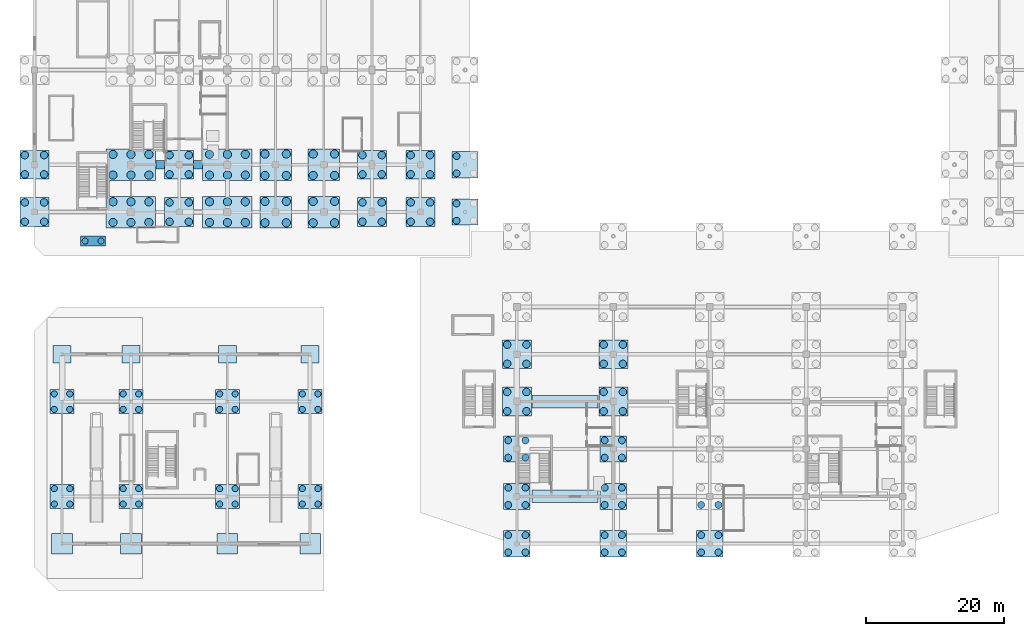
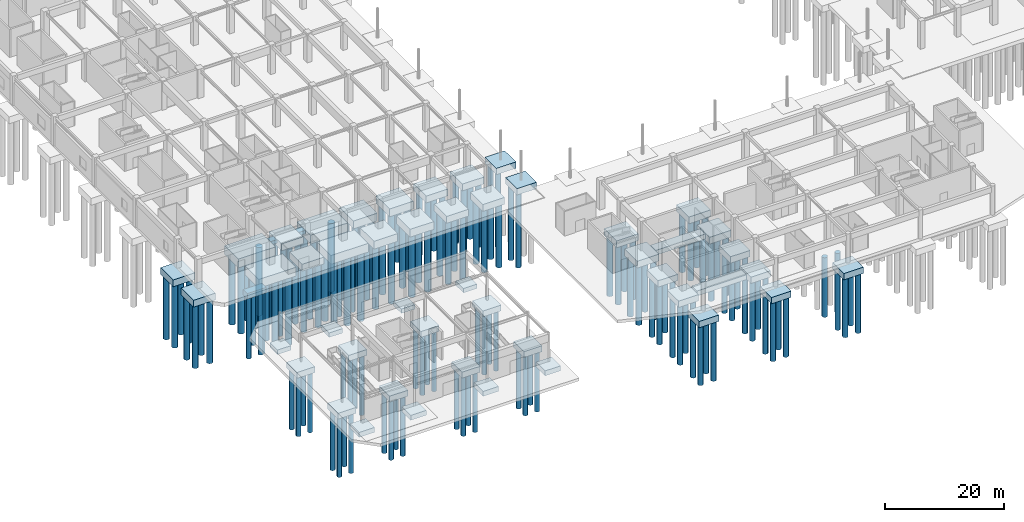
# One storey, part 1 of 62: 156 piles, 50 footings.
"""IFC4 building model written with IfcOpenShell, lengths in metres."""

from ifc_helpers import new_model, si_unit, direction, frame, origin, origin_2d, place, context, subcontext, project, spatial, rectangle, circle, extrude, material, material_profile, profile_set, type_object, element, save


model = new_model("IFC4")

# Units and contexts
model_context = context("Model", 3, precision=1e-05, world=origin(), true_north=direction((0.0, 1.0)))
body_context = subcontext(model_context, "Body", "Model", "MODEL_VIEW")
ifc_project = project(units=[si_unit("LENGTHUNIT", "METRE"), si_unit("AREAUNIT", "SQUARE_METRE"), si_unit("VOLUMEUNIT", "CUBIC_METRE"), si_unit("PLANEANGLEUNIT", "RADIAN"), si_unit("MASSUNIT", "GRAM", prefix="KILO")], contexts=[model_context])

# Site, building, storey
site_placement = place(None, origin())
site = spatial("IfcSite", under=ifc_project, at=site_placement, CompositionType="ELEMENT")
building_placement = place(site_placement, origin())
building = spatial("IfcBuilding", under=site, at=building_placement, Name="Linyun Crest Stadium", CompositionType="ELEMENT")
storey_placement = place(building_placement, frame((0.0, 0.0, -6.0)))
storey = spatial("IfcBuildingStorey", under=building, at=storey_placement, Name="B1", CompositionType="ELEMENT", Elevation=-6.0)

# Piles
ifc_material_1 = material(Name="Concrete C40", Category="concrete")
ifc_material_profile_1 = material_profile(ifc_material_1, circle(Radius=0.449951171875, at=origin_2d()), Name="BORED PILE 900")
ifc_profile_set_1 = profile_set([ifc_material_profile_1], Name="Concrete C40")
pile_type_1 = type_object("IfcPileType", Name="P01", PredefinedType="BORED", material=ifc_profile_set_1)
for number, where, z_axis, x_axis, name in (
    (1, (-95.125, -88.375, -1.699951171875), (0.0, 0.0, -1.0), (1.0, 0.0, 0.0), "Bored pile P01 857"),
    (2, (-95.125, -86.125, -1.699951171875), (0.0, 0.0, -1.0), (1.0, 0.0, 0.0), "Bored pile P01 858"),
    (3, (-92.875, -88.375, -1.699951171875), (0.0, 0.0, -1.0), (1.0, 0.0, 0.0), "Bored pile P01 859"),
    (4, (-92.875, -86.125, -1.699951171875), (0.0, 0.0, -1.0), (1.0, 0.0, 0.0), "Bored pile P01 860"),
    (5, (-95.125, -74.625, -1.699951171875), (0.0, 0.0, -1.0), (1.0, 0.0, 0.0), "Bored pile P01 861"),
    (6, (-95.125, -72.375, -1.699951171875), (0.0, 0.0, -1.0), (1.0, 0.0, 0.0), "Bored pile P01 862"),
    (7, (-92.875, -74.625, -1.699951171875), (0.0, 0.0, -1.0), (1.0, 0.0, 0.0), "Bored pile P01 863"),
    (8, (-92.875, -72.375, -1.699951171875), (0.0, 0.0, -1.0), (1.0, 0.0, 0.0), "Bored pile P01 864"),
    (9, (-85.125, -88.375, -1.699951171875), (0.0, 0.0, -1.0), (1.0, 0.0, 0.0), "Bored pile P01 865"),
    (10, (-85.125, -86.125, -1.699951171875), (0.0, 0.0, -1.0), (1.0, 0.0, 0.0), "Bored pile P01 866"),
    (11, (-82.875, -88.375, -1.699951171875), (0.0, 0.0, -1.0), (1.0, 0.0, 0.0), "Bored pile P01 867"),
    (12, (-82.875, -86.125, -1.699951171875), (0.0, 0.0, -1.0), (1.0, 0.0, 0.0), "Bored pile P01 868"),
    (13, (-85.125, -74.625, -1.699951171875), (0.0, 0.0, -1.0), (1.0, 0.0, 0.0), "Bored pile P01 869"),
    (14, (-85.125, -72.375, -1.699951171875), (0.0, 0.0, -1.0), (1.0, 0.0, 0.0), "Bored pile P01 870"),
    (15, (-82.875, -74.625, -1.699951171875), (0.0, 0.0, -1.0), (1.0, 0.0, 0.0), "Bored pile P01 871"),
    (16, (-82.875, -72.375, -1.699951171875), (0.0, 0.0, -1.0), (1.0, 0.0, 0.0), "Bored pile P01 872"),
    (17, (-71.125, -88.375, -1.699951171875), (0.0, 0.0, -1.0), (1.0, 0.0, 0.0), "Bored pile P01 873"),
    (18, (-71.125, -86.125, -1.699951171875), (0.0, 0.0, -1.0), (1.0, 0.0, 0.0), "Bored pile P01 874"),
    (19, (-68.875, -88.375, -1.699951171875), (0.0, 0.0, -1.0), (1.0, 0.0, 0.0), "Bored pile P01 875"),
    (20, (-68.875, -86.125, -1.699951171875), (0.0, 0.0, -1.0), (1.0, 0.0, 0.0), "Bored pile P01 876"),
    (21, (-71.125, -74.625, -1.699951171875), (0.0, 0.0, -1.0), (1.0, 0.0, 0.0), "Bored pile P01 877"),
    (22, (-71.125, -72.375, -1.699951171875), (0.0, 0.0, -1.0), (1.0, 0.0, 0.0), "Bored pile P01 878"),
    (23, (-68.875, -74.625, -1.699951171875), (0.0, 0.0, -1.0), (1.0, 0.0, 0.0), "Bored pile P01 879"),
    (24, (-68.875, -72.375, -1.699951171875), (0.0, 0.0, -1.0), (1.0, 0.0, 0.0), "Bored pile P01 880"),
    (25, (-59.125, -88.375, -1.699951171875), (0.0, 0.0, -1.0), (1.0, 0.0, 0.0), "Bored pile P01 881"),
    (26, (-59.125, -86.125, -1.699951171875), (0.0, 0.0, -1.0), (1.0, 0.0, 0.0), "Bored pile P01 882"),
    (27, (-56.875, -88.375, -1.699951171875), (0.0, 0.0, -1.0), (1.0, 0.0, 0.0), "Bored pile P01 883"),
    (28, (-56.875, -86.125, -1.699951171875), (0.0, 0.0, -1.0), (1.0, 0.0, 0.0), "Bored pile P01 884"),
    (29, (-59.125, -74.625, -1.699951171875), (0.0, 0.0, -1.0), (1.0, 0.0, 0.0), "Bored pile P01 885"),
    (30, (-59.125, -72.375, -1.699951171875), (0.0, 0.0, -1.0), (1.0, 0.0, 0.0), "Bored pile P01 886"),
    (31, (-56.875, -74.625, -1.699951171875), (0.0, 0.0, -1.0), (1.0, 0.0, 0.0), "Bored pile P01 887"),
    (32, (-56.875, -72.375, -1.699951171875), (0.0, 0.0, -1.0), (1.0, 0.0, 0.0), "Bored pile P01 888"),
):
    element("IfcPile", number, at=place(storey_placement, frame(where, z_axis=z_axis, x_axis=x_axis)), inside=storey, type_object=pile_type_1, Name=name, PredefinedType="BORED", context=body_context, shape_type="SweptSolid", body=[
        extrude(circle(Radius=0.449951171875, at=origin_2d()), origin(), (0.0, 0.0, 1.0), 12.300048828125),
    ])
for number, where, z_axis, x_axis, name in (
    (33, (-90.64990234375, -50.199951171875, -1.75), (0.0, 0.0, -1.0), (1.0, 0.0, 0.0), "Bored pile P01 921"),
    (34, (-88.35009765625, -50.199951171875, -1.75), (0.0, 0.0, -1.0), (1.0, 0.0, 0.0), "Bored pile P01 922"),
):
    element("IfcPile", number, at=place(storey_placement, frame(where, z_axis=z_axis, x_axis=x_axis)), inside=storey, type_object=pile_type_1, Name=name, PredefinedType="BORED", context=body_context, shape_type="SweptSolid", body=[
        extrude(circle(Radius=0.449951171875, at=origin_2d()), origin(), (0.0, 0.0, 1.0), 12.75),
    ])
ifc_material_2 = material(Name="Concrete C40", Category="concrete")
ifc_material_profile_2 = material_profile(ifc_material_2, circle(Radius=0.5, at=origin_2d()), Name="BORED PILE 1000")
ifc_profile_set_2 = profile_set([ifc_material_profile_2], Name="Concrete C40")
pile_type_2 = type_object("IfcPileType", Name="P02", PredefinedType="BORED", material=ifc_profile_set_2)
for number, where, z_axis, x_axis, name in (
    (35, (-29.25, -95.375, -1.800048828125), (0.0, 0.0, -1.0), (1.0, 0.0, 0.0), "Bored pile P02 677"),
    (36, (-29.25, -92.875, -1.800048828125), (0.0, 0.0, -1.0), (1.0, 0.0, 0.0), "Bored pile P02 678"),
    (37, (-26.75, -95.375, -1.800048828125), (0.0, 0.0, -1.0), (1.0, 0.0, 0.0), "Bored pile P02 679"),
    (38, (-26.75, -92.875, -1.800048828125), (0.0, 0.0, -1.0), (1.0, 0.0, 0.0), "Bored pile P02 680"),
    (39, (-29.25, -88.5, -1.800048828125), (0.0, 0.0, -1.0), (1.0, 0.0, 0.0), "Bored pile P02 681"),
    (40, (-29.25, -86.0, -1.800048828125), (0.0, 0.0, -1.0), (1.0, 0.0, 0.0), "Bored pile P02 682"),
    (41, (-26.75, -88.5, -1.800048828125), (0.0, 0.0, -1.0), (1.0, 0.0, 0.0), "Bored pile P02 683"),
    (42, (-26.75, -86.0, -1.800048828125), (0.0, 0.0, -1.0), (1.0, 0.0, 0.0), "Bored pile P02 684"),
    (43, (-29.25, -81.625, -1.800048828125), (0.0, 0.0, -1.0), (1.0, 0.0, 0.0), "Bored pile P02 685"),
    (44, (-29.25, -79.125, -1.800048828125), (0.0, 0.0, -1.0), (1.0, 0.0, 0.0), "Bored pile P02 686"),
    (45, (-26.75, -81.625, -1.800048828125), (0.0, 0.0, -1.0), (1.0, 0.0, 0.0), "Bored pile P02 687"),
    (46, (-26.75, -79.125, -1.800048828125), (0.0, 0.0, -1.0), (1.0, 0.0, 0.0), "Bored pile P02 688"),
    (47, (-15.25, -95.375, -1.800048828125), (0.0, 0.0, -1.0), (1.0, 0.0, 0.0), "Bored pile P02 701"),
    (48, (-15.25, -92.875, -1.800048828125), (0.0, 0.0, -1.0), (1.0, 0.0, 0.0), "Bored pile P02 702"),
    (49, (-12.75, -95.375, -1.800048828125), (0.0, 0.0, -1.0), (1.0, 0.0, 0.0), "Bored pile P02 703"),
    (50, (-12.75, -92.875, -1.800048828125), (0.0, 0.0, -1.0), (1.0, 0.0, 0.0), "Bored pile P02 704"),
    (51, (-15.25, -88.5, -1.800048828125), (0.0, 0.0, -1.0), (1.0, 0.0, 0.0), "Bored pile P02 705"),
    (52, (-15.25, -86.0, -1.800048828125), (0.0, 0.0, -1.0), (1.0, 0.0, 0.0), "Bored pile P02 706"),
    (53, (-12.75, -88.5, -1.800048828125), (0.0, 0.0, -1.0), (1.0, 0.0, 0.0), "Bored pile P02 707"),
    (54, (-12.75, -86.0, -1.800048828125), (0.0, 0.0, -1.0), (1.0, 0.0, 0.0), "Bored pile P02 708"),
    (55, (-15.25, -81.625, -1.800048828125), (0.0, 0.0, -1.0), (1.0, 0.0, 0.0), "Bored pile P02 709"),
    (56, (-15.25, -79.125, -1.800048828125), (0.0, 0.0, -1.0), (1.0, 0.0, 0.0), "Bored pile P02 710"),
    (57, (-12.75, -81.625, -1.800048828125), (0.0, 0.0, -1.0), (1.0, 0.0, 0.0), "Bored pile P02 711"),
    (58, (-12.75, -79.125, -1.800048828125), (0.0, 0.0, -1.0), (1.0, 0.0, 0.0), "Bored pile P02 712"),
    (59, (-1.25, -95.375, -1.800048828125), (0.0, 0.0, -1.0), (1.0, 0.0, 0.0), "Bored pile P02 725"),
    (60, (-1.25, -92.875, -1.800048828125), (0.0, 0.0, -1.0), (1.0, 0.0, 0.0), "Bored pile P02 726"),
    (61, (1.25, -95.375, -1.800048828125), (0.0, 0.0, -1.0), (1.0, 0.0, 0.0), "Bored pile P02 727"),
    (62, (1.25, -92.875, -1.800048828125), (0.0, 0.0, -1.0), (1.0, 0.0, 0.0), "Bored pile P02 728"),
    (63, (-1.25, -88.5, -1.800048828125), (0.0, 0.0, -1.0), (1.0, 0.0, 0.0), "Bored pile P02 729"),
    (64, (1.25, -88.5, -1.800048828125), (0.0, 0.0, -1.0), (1.0, 0.0, 0.0), "Bored pile P02 731"),
):
    element("IfcPile", number, at=place(storey_placement, frame(where, z_axis=z_axis, x_axis=x_axis)), inside=storey, type_object=pile_type_2, Name=name, PredefinedType="BORED", context=body_context, shape_type="SweptSolid", body=[
        extrude(circle(Radius=0.5, at=origin_2d()), origin(), (0.0, 0.0, 1.0), 12.199951171875),
    ])
for number, where, z_axis, x_axis, name in (
    (65, (-36.75, -47.25, -1.199951171875), (0.0, 0.0, -1.0), (1.0, 0.0, 0.0), "Bored pile P02 arch 2.1"),
    (66, (-36.75, -44.75, -1.199951171875), (0.0, 0.0, -1.0), (1.0, 0.0, 0.0), "Bored pile P02 arch 2.2"),
    (67, (-36.75, -40.375, -1.199951171875), (0.0, 0.0, -1.0), (1.0, 0.0, 0.0), "Bored pile P02 arch 4.1"),
    (68, (-36.75, -37.875, -1.199951171875), (0.0, 0.0, -1.0), (1.0, 0.0, 0.0), "Bored pile P02 arch 4.2"),
):
    element("IfcPile", number, at=place(storey_placement, frame(where, z_axis=z_axis, x_axis=x_axis)), inside=storey, type_object=pile_type_2, Name=name, PredefinedType="BORED", context=body_context, shape_type="SweptSolid", body=[
        extrude(circle(Radius=0.5, at=origin_2d()), origin(), (0.0, 0.0, 1.0), 15.300048828125),
    ])
ifc_material_3 = material(Name="Concrete C40", Category="concrete")
ifc_material_profile_3 = material_profile(ifc_material_3, circle(Radius=0.550048828125, at=origin_2d()), Name="BORED PILE 1100")
ifc_profile_set_3 = profile_set([ifc_material_profile_3], Name="Concrete C40")
pile_type_3 = type_object("IfcPileType", Name="P03", PredefinedType="BORED", material=ifc_profile_set_3)
for number, where, z_axis, x_axis, name in (
    (69, (-99.39990234375, -47.39990234375, -2.050048828125), (0.0, 0.0, -1.0), (1.0, 0.0, 0.0), "Bored pile P03 1"),
    (70, (-99.39990234375, -44.60009765625, -2.050048828125), (0.0, 0.0, -1.0), (1.0, 0.0, 0.0), "Bored pile P03 2"),
    (71, (-96.60009765625, -47.39990234375, -2.050048828125), (0.0, 0.0, -1.0), (1.0, 0.0, 0.0), "Bored pile P03 3"),
    (72, (-96.60009765625, -44.60009765625, -2.050048828125), (0.0, 0.0, -1.0), (1.0, 0.0, 0.0), "Bored pile P03 4"),
    (73, (-99.39990234375, -40.52490234375, -2.050048828125), (0.0, 0.0, -1.0), (1.0, 0.0, 0.0), "Bored pile P03 5"),
    (74, (-99.39990234375, -37.72509765625, -2.050048828125), (0.0, 0.0, -1.0), (1.0, 0.0, 0.0), "Bored pile P03 6"),
    (75, (-96.60009765625, -40.52490234375, -2.050048828125), (0.0, 0.0, -1.0), (1.0, 0.0, 0.0), "Bored pile P03 7"),
    (76, (-96.60009765625, -37.72509765625, -2.050048828125), (0.0, 0.0, -1.0), (1.0, 0.0, 0.0), "Bored pile P03 8"),
    (77, (-78.39990234375, -47.39990234375, -2.050048828125), (0.0, 0.0, -1.0), (1.0, 0.0, 0.0), "Bored pile P03 81"),
    (78, (-78.39990234375, -44.60009765625, -2.050048828125), (0.0, 0.0, -1.0), (1.0, 0.0, 0.0), "Bored pile P03 82"),
    (79, (-75.60009765625, -47.39990234375, -2.050048828125), (0.0, 0.0, -1.0), (1.0, 0.0, 0.0), "Bored pile P03 83"),
    (80, (-75.60009765625, -44.60009765625, -2.050048828125), (0.0, 0.0, -1.0), (1.0, 0.0, 0.0), "Bored pile P03 84"),
    (81, (-78.39990234375, -40.52490234375, -2.050048828125), (0.0, 0.0, -1.0), (1.0, 0.0, 0.0), "Bored pile P03 85"),
    (82, (-78.39990234375, -37.72509765625, -2.050048828125), (0.0, 0.0, -1.0), (1.0, 0.0, 0.0), "Bored pile P03 86"),
    (83, (-75.60009765625, -40.52490234375, -2.050048828125), (0.0, 0.0, -1.0), (1.0, 0.0, 0.0), "Bored pile P03 87"),
    (84, (-75.60009765625, -37.72509765625, -2.050048828125), (0.0, 0.0, -1.0), (1.0, 0.0, 0.0), "Bored pile P03 88"),
    (85, (-50.39990234375, -47.39990234375, -2.050048828125), (0.0, 0.0, -1.0), (1.0, 0.0, 0.0), "Bored pile P03 225"),
    (86, (-50.39990234375, -44.60009765625, -2.050048828125), (0.0, 0.0, -1.0), (1.0, 0.0, 0.0), "Bored pile P03 226"),
    (87, (-47.60009765625, -47.39990234375, -2.050048828125), (0.0, 0.0, -1.0), (1.0, 0.0, 0.0), "Bored pile P03 227"),
    (88, (-47.60009765625, -44.60009765625, -2.050048828125), (0.0, 0.0, -1.0), (1.0, 0.0, 0.0), "Bored pile P03 228"),
    (89, (-50.39990234375, -40.52490234375, -2.050048828125), (0.0, 0.0, -1.0), (1.0, 0.0, 0.0), "Bored pile P03 229"),
    (90, (-50.39990234375, -37.72509765625, -2.050048828125), (0.0, 0.0, -1.0), (1.0, 0.0, 0.0), "Bored pile P03 230"),
    (91, (-47.60009765625, -40.52490234375, -2.050048828125), (0.0, 0.0, -1.0), (1.0, 0.0, 0.0), "Bored pile P03 231"),
    (92, (-47.60009765625, -37.72509765625, -2.050048828125), (0.0, 0.0, -1.0), (1.0, 0.0, 0.0), "Bored pile P03 232"),
    (93, (-43.39990234375, -47.39990234375, -2.050048828125), (0.0, 0.0, -1.0), (1.0, 0.0, 0.0), "Bored pile P03 257"),
    (94, (-43.39990234375, -44.60009765625, -2.050048828125), (0.0, 0.0, -1.0), (1.0, 0.0, 0.0), "Bored pile P03 258"),
    (95, (-40.60009765625, -47.39990234375, -2.050048828125), (0.0, 0.0, -1.0), (1.0, 0.0, 0.0), "Bored pile P03 259"),
    (96, (-40.60009765625, -44.60009765625, -2.050048828125), (0.0, 0.0, -1.0), (1.0, 0.0, 0.0), "Bored pile P03 260"),
    (97, (-43.39990234375, -40.52490234375, -2.050048828125), (0.0, 0.0, -1.0), (1.0, 0.0, 0.0), "Bored pile P03 261"),
    (98, (-43.39990234375, -37.72509765625, -2.050048828125), (0.0, 0.0, -1.0), (1.0, 0.0, 0.0), "Bored pile P03 262"),
    (99, (-40.60009765625, -40.52490234375, -2.050048828125), (0.0, 0.0, -1.0), (1.0, 0.0, 0.0), "Bored pile P03 263"),
    (100, (-40.60009765625, -37.72509765625, -2.050048828125), (0.0, 0.0, -1.0), (1.0, 0.0, 0.0), "Bored pile P03 264"),
):
    element("IfcPile", number, at=place(storey_placement, frame(where, z_axis=z_axis, x_axis=x_axis)), inside=storey, type_object=pile_type_3, Name=name, PredefinedType="BORED", context=body_context, shape_type="SweptSolid", body=[
        extrude(circle(Radius=0.550048828125, at=origin_2d()), origin(), (0.0, 0.0, 1.0), 12.949951171875),
    ])
for number, where, z_axis, x_axis, name in (
    (101, (-29.39990234375, -74.89990234375, -1.89990234375), (0.0, 0.0, -1.0), (1.0, 0.0, 0.0), "Bored pile P03 689"),
    (102, (-29.39990234375, -72.10009765625, -1.89990234375), (0.0, 0.0, -1.0), (1.0, 0.0, 0.0), "Bored pile P03 690"),
    (103, (-26.60009765625, -74.89990234375, -1.89990234375), (0.0, 0.0, -1.0), (1.0, 0.0, 0.0), "Bored pile P03 691"),
    (104, (-26.60009765625, -72.10009765625, -1.89990234375), (0.0, 0.0, -1.0), (1.0, 0.0, 0.0), "Bored pile P03 692"),
    (105, (-29.39990234375, -68.02490234375, -1.89990234375), (0.0, 0.0, -1.0), (1.0, 0.0, 0.0), "Bored pile P03 693"),
    (106, (-29.39990234375, -65.22509765625, -1.89990234375), (0.0, 0.0, -1.0), (1.0, 0.0, 0.0), "Bored pile P03 694"),
    (107, (-26.60009765625, -68.02490234375, -1.89990234375), (0.0, 0.0, -1.0), (1.0, 0.0, 0.0), "Bored pile P03 695"),
    (108, (-26.60009765625, -65.22509765625, -1.89990234375), (0.0, 0.0, -1.0), (1.0, 0.0, 0.0), "Bored pile P03 696"),
    (109, (-15.39990234375, -74.89990234375, -1.89990234375), (0.0, 0.0, -1.0), (1.0, 0.0, 0.0), "Bored pile P03 713"),
    (110, (-15.39990234375, -72.10009765625, -1.89990234375), (0.0, 0.0, -1.0), (1.0, 0.0, 0.0), "Bored pile P03 714"),
    (111, (-12.60009765625, -74.89990234375, -1.89990234375), (0.0, 0.0, -1.0), (1.0, 0.0, 0.0), "Bored pile P03 715"),
    (112, (-12.60009765625, -72.10009765625, -1.89990234375), (0.0, 0.0, -1.0), (1.0, 0.0, 0.0), "Bored pile P03 716"),
    (113, (-15.39990234375, -68.02490234375, -1.89990234375), (0.0, 0.0, -1.0), (1.0, 0.0, 0.0), "Bored pile P03 717"),
    (114, (-15.39990234375, -65.22509765625, -1.89990234375), (0.0, 0.0, -1.0), (1.0, 0.0, 0.0), "Bored pile P03 718"),
    (115, (-12.60009765625, -68.02490234375, -1.89990234375), (0.0, 0.0, -1.0), (1.0, 0.0, 0.0), "Bored pile P03 719"),
    (116, (-12.60009765625, -65.22509765625, -1.89990234375), (0.0, 0.0, -1.0), (1.0, 0.0, 0.0), "Bored pile P03 720"),
):
    element("IfcPile", number, at=place(storey_placement, frame(where, z_axis=z_axis, x_axis=x_axis)), inside=storey, type_object=pile_type_3, Name=name, PredefinedType="BORED", context=body_context, shape_type="SweptSolid", body=[
        extrude(circle(Radius=0.550048828125, at=origin_2d()), origin(), (0.0, 0.0, 1.0), 12.10009765625),
    ])
ifc_material_4 = material(Name="Concrete C40", Category="concrete")
ifc_material_profile_4 = material_profile(ifc_material_4, circle(Radius=0.60009765625, at=origin_2d()), Name="BORED PILE 1200")
ifc_profile_set_4 = profile_set([ifc_material_profile_4], Name="Concrete C40")
pile_type_4 = type_object("IfcPileType", Name="P04", PredefinedType="BORED", material=ifc_profile_set_4)
for number, where, z_axis, x_axis, name in (
    (117, (-86.60009765625, -47.5, -2.449951171875), (0.0, 0.0, -1.0), (1.0, 0.0, 0.0), "Bored pile P04 33"),
    (118, (-86.60009765625, -44.5, -2.449951171875), (0.0, 0.0, -1.0), (1.0, 0.0, 0.0), "Bored pile P04 34"),
    (119, (-84.0, -47.5, -2.449951171875), (0.0, 0.0, -1.0), (1.0, 0.0, 0.0), "Bored pile P04 35"),
    (120, (-84.0, -44.5, -2.449951171875), (0.0, 0.0, -1.0), (1.0, 0.0, 0.0), "Bored pile P04 36"),
    (121, (-81.39990234375, -47.5, -2.449951171875), (0.0, 0.0, -1.0), (1.0, 0.0, 0.0), "Bored pile P04 37"),
    (122, (-81.39990234375, -44.5, -2.449951171875), (0.0, 0.0, -1.0), (1.0, 0.0, 0.0), "Bored pile P04 38"),
    (123, (-86.60009765625, -40.625, -2.449951171875), (0.0, 0.0, -1.0), (1.0, 0.0, 0.0), "Bored pile P04 39"),
    (124, (-86.60009765625, -37.625, -2.449951171875), (0.0, 0.0, -1.0), (1.0, 0.0, 0.0), "Bored pile P04 40"),
    (125, (-84.0, -40.625, -2.449951171875), (0.0, 0.0, -1.0), (1.0, 0.0, 0.0), "Bored pile P04 41"),
    (126, (-84.0, -37.625, -2.449951171875), (0.0, 0.0, -1.0), (1.0, 0.0, 0.0), "Bored pile P04 42"),
    (127, (-81.39990234375, -40.625, -2.449951171875), (0.0, 0.0, -1.0), (1.0, 0.0, 0.0), "Bored pile P04 43"),
    (128, (-81.39990234375, -37.625, -2.449951171875), (0.0, 0.0, -1.0), (1.0, 0.0, 0.0), "Bored pile P04 44"),
    (129, (-72.60009765625, -47.5, -2.449951171875), (0.0, 0.0, -1.0), (1.0, 0.0, 0.0), "Bored pile P04 113"),
    (130, (-72.60009765625, -44.5, -2.449951171875), (0.0, 0.0, -1.0), (1.0, 0.0, 0.0), "Bored pile P04 114"),
    (131, (-70.0, -47.5, -2.449951171875), (0.0, 0.0, -1.0), (1.0, 0.0, 0.0), "Bored pile P04 115"),
    (132, (-70.0, -44.5, -2.449951171875), (0.0, 0.0, -1.0), (1.0, 0.0, 0.0), "Bored pile P04 116"),
    (133, (-67.39990234375, -47.5, -2.449951171875), (0.0, 0.0, -1.0), (1.0, 0.0, 0.0), "Bored pile P04 117"),
    (134, (-67.39990234375, -44.5, -2.449951171875), (0.0, 0.0, -1.0), (1.0, 0.0, 0.0), "Bored pile P04 118"),
    (135, (-72.60009765625, -40.625, -2.449951171875), (0.0, 0.0, -1.0), (1.0, 0.0, 0.0), "Bored pile P04 119"),
    (136, (-72.60009765625, -37.625, -2.449951171875), (0.0, 0.0, -1.0), (1.0, 0.0, 0.0), "Bored pile P04 120"),
    (137, (-70.0, -40.625, -2.449951171875), (0.0, 0.0, -1.0), (1.0, 0.0, 0.0), "Bored pile P04 121"),
    (138, (-70.0, -37.625, -2.449951171875), (0.0, 0.0, -1.0), (1.0, 0.0, 0.0), "Bored pile P04 122"),
    (139, (-67.39990234375, -40.625, -2.449951171875), (0.0, 0.0, -1.0), (1.0, 0.0, 0.0), "Bored pile P04 123"),
    (140, (-67.39990234375, -37.625, -2.449951171875), (0.0, 0.0, -1.0), (1.0, 0.0, 0.0), "Bored pile P04 124"),
):
    element("IfcPile", number, at=place(storey_placement, frame(where, z_axis=z_axis, x_axis=x_axis)), inside=storey, type_object=pile_type_4, Name=name, PredefinedType="BORED", context=body_context, shape_type="SweptSolid", body=[
        extrude(circle(Radius=0.60009765625, at=origin_2d()), origin(), (0.0, 0.0, 1.0), 14.050048828125),
    ])
for number, where, z_axis, x_axis, name in (
    (141, (-64.550048828125, -47.550048828125, -2.25), (0.0, 0.0, -1.0), (1.0, 0.0, 0.0), "Bored pile P04 161"),
    (142, (-64.550048828125, -44.449951171875, -2.25), (0.0, 0.0, -1.0), (1.0, 0.0, 0.0), "Bored pile P04 162"),
    (143, (-61.449951171875, -47.550048828125, -2.25), (0.0, 0.0, -1.0), (1.0, 0.0, 0.0), "Bored pile P04 163"),
    (144, (-61.449951171875, -44.449951171875, -2.25), (0.0, 0.0, -1.0), (1.0, 0.0, 0.0), "Bored pile P04 164"),
    (145, (-64.550048828125, -40.675048828125, -2.25), (0.0, 0.0, -1.0), (1.0, 0.0, 0.0), "Bored pile P04 165"),
    (146, (-64.550048828125, -37.574951171875, -2.25), (0.0, 0.0, -1.0), (1.0, 0.0, 0.0), "Bored pile P04 166"),
    (147, (-61.449951171875, -40.675048828125, -2.25), (0.0, 0.0, -1.0), (1.0, 0.0, 0.0), "Bored pile P04 167"),
    (148, (-61.449951171875, -37.574951171875, -2.25), (0.0, 0.0, -1.0), (1.0, 0.0, 0.0), "Bored pile P04 168"),
    (149, (-57.550048828125, -47.550048828125, -2.25), (0.0, 0.0, -1.0), (1.0, 0.0, 0.0), "Bored pile P04 193"),
    (150, (-57.550048828125, -44.449951171875, -2.25), (0.0, 0.0, -1.0), (1.0, 0.0, 0.0), "Bored pile P04 194"),
    (151, (-54.449951171875, -47.550048828125, -2.25), (0.0, 0.0, -1.0), (1.0, 0.0, 0.0), "Bored pile P04 195"),
    (152, (-54.449951171875, -44.449951171875, -2.25), (0.0, 0.0, -1.0), (1.0, 0.0, 0.0), "Bored pile P04 196"),
    (153, (-57.550048828125, -40.675048828125, -2.25), (0.0, 0.0, -1.0), (1.0, 0.0, 0.0), "Bored pile P04 197"),
    (154, (-57.550048828125, -37.574951171875, -2.25), (0.0, 0.0, -1.0), (1.0, 0.0, 0.0), "Bored pile P04 198"),
    (155, (-54.449951171875, -40.675048828125, -2.25), (0.0, 0.0, -1.0), (1.0, 0.0, 0.0), "Bored pile P04 199"),
    (156, (-54.449951171875, -37.574951171875, -2.25), (0.0, 0.0, -1.0), (1.0, 0.0, 0.0), "Bored pile P04 200"),
):
    element("IfcPile", number, at=place(storey_placement, frame(where, z_axis=z_axis, x_axis=x_axis)), inside=storey, type_object=pile_type_4, Name=name, PredefinedType="BORED", context=body_context, shape_type="SweptSolid", body=[
        extrude(circle(Radius=0.60009765625, at=origin_2d()), origin(), (0.0, 0.0, 1.0), 12.75),
    ])

# Footings
ifc_material_5 = material(Name="Concrete C40", Category="concrete")
footing_type_1 = type_object("IfcFootingType", Name="PC01", PredefinedType="PILE_CAP", material=ifc_material_5)
footing_placement = place(storey_placement, frame((-89.5, -50.199951171875, -1.85009765625), z_axis=(0.0, 0.0, 1.0), x_axis=(1.0, 0.0, 0.0)))
element("IfcFooting", 157, at=footing_placement, inside=storey, type_object=footing_type_1, Name="Foundation PC01 224", PredefinedType="PILE_CAP", context=body_context, shape_type="SweptSolid", body=[
    extrude(rectangle(XDim=3.60009765625, YDim=1.39990234375, at=origin_2d()), origin(), (0.0, 0.0, 1.0), 1.10009765625),
])
ifc_material_6 = material(Name="Concrete C40", Category="concrete")
footing_type_2 = type_object("IfcFootingType", Name="PC02", PredefinedType="PILE_CAP", material=ifc_material_6)
for number, where, z_axis, x_axis, name in (
    (158, (-28.0, -94.125, -1.89990234375), (0.0, 0.0, 1.0), (1.0, 0.0, 0.0), "Foundation PC02 154"),
    (159, (-28.0, -87.25, -1.89990234375), (0.0, 0.0, 1.0), (1.0, 0.0, 0.0), "Foundation PC02 155"),
    (160, (-28.0, -80.375, -1.89990234375), (0.0, 0.0, 1.0), (1.0, 0.0, 0.0), "Foundation PC02 156"),
    (161, (-14.0, -94.125, -1.89990234375), (0.0, 0.0, 1.0), (1.0, 0.0, 0.0), "Foundation PC02 160"),
    (162, (-14.0, -87.25, -1.89990234375), (0.0, 0.0, 1.0), (1.0, 0.0, 0.0), "Foundation PC02 161"),
    (163, (-14.0, -80.375, -1.89990234375), (0.0, 0.0, 1.0), (1.0, 0.0, 0.0), "Foundation PC02 162"),
    (164, (0.0, -94.125, -1.89990234375), (0.0, 0.0, 1.0), (1.0, 0.0, 0.0), "Foundation PC02 166"),
    (165, (-35.5, -46.0, -1.2998046875), (0.0, 0.0, 1.0), (1.0, 0.0, 0.0), "Foundation PC02 arch 2"),
    (166, (-35.5, -39.125, -1.2998046875), (0.0, 0.0, 1.0), (1.0, 0.0, 0.0), "Foundation PC02 arch 4"),
):
    element("IfcFooting", number, at=place(storey_placement, frame(where, z_axis=z_axis, x_axis=x_axis)), inside=storey, type_object=footing_type_2, Name=name, PredefinedType="PILE_CAP", context=body_context, shape_type="SweptSolid", body=[
        extrude(rectangle(XDim=3.800048828125, YDim=3.800048828125, at=origin_2d()), origin(), (0.0, 0.0, 1.0), 1.300048828125),
    ])
ifc_material_7 = material(Name="Concrete C40", Category="concrete")
footing_type_3 = type_object("IfcFootingType", Name="PC03", PredefinedType="PILE_CAP", material=ifc_material_7)
for number, where, z_axis, x_axis, name in (
    (167, (-98.0, -46.0, -2.14990234375), (0.0, 0.0, 1.0), (1.0, 0.0, 0.0), "Foundation PC03 1"),
    (168, (-98.0, -39.125, -2.14990234375), (0.0, 0.0, 1.0), (1.0, 0.0, 0.0), "Foundation PC03 2"),
    (169, (-77.0, -46.0, -2.14990234375), (0.0, 0.0, 1.0), (1.0, 0.0, 0.0), "Foundation PC03 17"),
    (170, (-77.0, -39.125, -2.14990234375), (0.0, 0.0, 1.0), (1.0, 0.0, 0.0), "Foundation PC03 18"),
    (171, (-49.0, -46.0, -2.14990234375), (0.0, 0.0, 1.0), (1.0, 0.0, 0.0), "Foundation PC03 49"),
    (172, (-49.0, -39.125, -2.14990234375), (0.0, 0.0, 1.0), (1.0, 0.0, 0.0), "Foundation PC03 50"),
    (173, (-42.0, -46.0, -2.14990234375), (0.0, 0.0, 1.0), (1.0, 0.0, 0.0), "Foundation PC03 57"),
    (174, (-42.0, -39.125, -2.14990234375), (0.0, 0.0, 1.0), (1.0, 0.0, 0.0), "Foundation PC03 58"),
    (175, (-28.0, -73.5, -2.0), (0.0, 0.0, 1.0), (1.0, 0.0, 0.0), "Foundation PC03 157"),
    (176, (-28.0, -66.625, -2.0), (0.0, 0.0, 1.0), (1.0, 0.0, 0.0), "Foundation PC03 158"),
    (177, (-14.0, -73.5, -2.0), (0.0, 0.0, 1.0), (1.0, 0.0, 0.0), "Foundation PC03 163"),
    (178, (-14.0, -66.625, -2.0), (0.0, 0.0, 1.0), (1.0, 0.0, 0.0), "Foundation PC03 164"),
):
    element("IfcFooting", number, at=place(storey_placement, frame(where, z_axis=z_axis, x_axis=x_axis)), inside=storey, type_object=footing_type_3, Name=name, PredefinedType="PILE_CAP", context=body_context, shape_type="SweptSolid", body=[
        extrude(rectangle(XDim=4.199951171875, YDim=4.199951171875, at=origin_2d()), origin(), (0.0, 0.0, 1.0), 1.39990234375),
    ])
ifc_material_8 = material(Name="Concrete C40", Category="concrete")
footing_type_4 = type_object("IfcFootingType", Name="PC04", PredefinedType="PILE_CAP", material=ifc_material_8)
for number, where, z_axis, x_axis, name in (
    (179, (-63.0, -46.0, -2.35009765625), (0.0, 0.0, 1.0), (1.0, 0.0, 0.0), "Foundation PC04 33"),
    (180, (-63.0, -39.125, -2.35009765625), (0.0, 0.0, 1.0), (1.0, 0.0, 0.0), "Foundation PC04 34"),
    (181, (-56.0, -46.0, -2.35009765625), (0.0, 0.0, 1.0), (1.0, 0.0, 0.0), "Foundation PC04 41"),
    (182, (-56.0, -39.125, -2.35009765625), (0.0, 0.0, 1.0), (1.0, 0.0, 0.0), "Foundation PC04 42"),
):
    element("IfcFooting", number, at=place(storey_placement, frame(where, z_axis=z_axis, x_axis=x_axis)), inside=storey, type_object=footing_type_4, Name=name, PredefinedType="PILE_CAP", context=body_context, shape_type="SweptSolid", body=[
        extrude(rectangle(XDim=4.60009765625, YDim=4.60009765625, at=origin_2d()), origin(), (0.0, 0.0, 1.0), 1.60009765625),
    ])
ifc_material_9 = material(Name="Concrete C40", Category="concrete")
footing_type_5 = type_object("IfcFootingType", Name="PC06", PredefinedType="PILE_CAP", material=ifc_material_9)
for number, where, z_axis, x_axis, name in (
    (183, (-84.0, -46.0, -2.5498046875), (0.0, 0.0, 1.0), (1.0, 0.0, 0.0), "Foundation PC06 9"),
    (184, (-84.0, -39.125, -2.5498046875), (0.0, 0.0, 1.0), (1.0, 0.0, 0.0), "Foundation PC06 10"),
    (185, (-70.0, -46.0, -2.5498046875), (0.0, 0.0, 1.0), (1.0, 0.0, 0.0), "Foundation PC06 25"),
    (186, (-70.0, -39.125, -2.5498046875), (0.0, 0.0, 1.0), (1.0, 0.0, 0.0), "Foundation PC06 26"),
):
    element("IfcFooting", number, at=place(storey_placement, frame(where, z_axis=z_axis, x_axis=x_axis)), inside=storey, type_object=footing_type_5, Name=name, PredefinedType="PILE_CAP", context=body_context, shape_type="SweptSolid", body=[
        extrude(rectangle(XDim=7.199951171875, YDim=4.60009765625, at=origin_2d()), origin(), (0.0, 0.0, 1.0), 1.800048828125),
    ])
ifc_material_10 = material(Name="Concrete C40", Category="concrete")
footing_type_6 = type_object("IfcFootingType", Name="PC08", PredefinedType="PILE_CAP", material=ifc_material_10)
for number, where, z_axis, x_axis, name in (
    (187, (-94.0, -87.25, -1.7998046875), (0.0, 0.0, 1.0), (1.0, 0.0, 0.0), "Foundation PC08 193"),
    (188, (-94.0, -73.5, -1.7998046875), (0.0, 0.0, 1.0), (1.0, 0.0, 0.0), "Foundation PC08 194"),
    (189, (-84.0, -87.25, -1.7998046875), (0.0, 0.0, 1.0), (1.0, 0.0, 0.0), "Foundation PC08 197"),
    (190, (-84.0, -73.5, -1.7998046875), (0.0, 0.0, 1.0), (1.0, 0.0, 0.0), "Foundation PC08 198"),
    (191, (-70.0, -87.25, -1.7998046875), (0.0, 0.0, 1.0), (1.0, 0.0, 0.0), "Foundation PC08 201"),
    (192, (-70.0, -73.5, -1.7998046875), (0.0, 0.0, 1.0), (1.0, 0.0, 0.0), "Foundation PC08 202"),
    (193, (-58.0, -87.25, -1.7998046875), (0.0, 0.0, 1.0), (1.0, 0.0, 0.0), "Foundation PC08 205"),
    (194, (-58.0, -73.5, -1.7998046875), (0.0, 0.0, 1.0), (1.0, 0.0, 0.0), "Foundation PC08 206"),
):
    element("IfcFooting", number, at=place(storey_placement, frame(where, z_axis=z_axis, x_axis=x_axis)), inside=storey, type_object=footing_type_6, Name=name, PredefinedType="PILE_CAP", context=body_context, shape_type="SweptSolid", body=[
        extrude(rectangle(XDim=3.5, YDim=3.5, at=origin_2d()), origin(), (0.0, 0.0, 1.0), 1.199951171875),
    ])
ifc_material_11 = material(Name="Concrete C40", Category="concrete")
footing_type_7 = type_object("IfcFootingType", Name="PF02", PredefinedType="PAD_FOOTING", material=ifc_material_11)
for number, where, z_axis, x_axis, name in (
    (195, (-94.0, -66.625, -1.5), (0.0, 0.0, 1.0), (1.0, 0.0, 0.0), "Foundation PF02 195"),
    (196, (-84.0, -66.625, -1.5), (0.0, 0.0, 1.0), (1.0, 0.0, 0.0), "Foundation PF02 199"),
    (197, (-70.0, -66.625, -1.5), (0.0, 0.0, 1.0), (1.0, 0.0, 0.0), "Foundation PF02 203"),
    (198, (-58.0, -66.625, -1.5), (0.0, 0.0, 1.0), (1.0, 0.0, 0.0), "Foundation PF02 207"),
):
    element("IfcFooting", number, at=place(storey_placement, frame(where, z_axis=z_axis, x_axis=x_axis)), inside=storey, type_object=footing_type_7, Name=name, PredefinedType="PAD_FOOTING", context=body_context, shape_type="SweptSolid", body=[
        extrude(rectangle(XDim=2.60009765625, YDim=2.60009765625, at=origin_2d()), origin(), (0.0, 0.0, 1.0), 0.89990234375),
    ])
ifc_material_12 = material(Name="Concrete C40", Category="concrete")
footing_type_8 = type_object("IfcFootingType", Name="PF03", PredefinedType="PAD_FOOTING", material=ifc_material_12)
for number, where, z_axis, x_axis, name in (
    (199, (-94.0, -94.125, -1.60009765625), (0.0, 0.0, 1.0), (1.0, 0.0, 0.0), "Foundation PF03 192"),
    (200, (-84.0, -94.125, -1.60009765625), (0.0, 0.0, 1.0), (1.0, 0.0, 0.0), "Foundation PF03 196"),
    (201, (-70.0, -94.125, -1.60009765625), (0.0, 0.0, 1.0), (1.0, 0.0, 0.0), "Foundation PF03 200"),
    (202, (-58.0, -94.125, -1.60009765625), (0.0, 0.0, 1.0), (1.0, 0.0, 0.0), "Foundation PF03 204"),
):
    element("IfcFooting", number, at=place(storey_placement, frame(where, z_axis=z_axis, x_axis=x_axis)), inside=storey, type_object=footing_type_8, Name=name, PredefinedType="PAD_FOOTING", context=body_context, shape_type="SweptSolid", body=[
        extrude(rectangle(XDim=3.0, YDim=3.0, at=origin_2d()), origin(), (0.0, 0.0, 1.0), 1.0),
    ])
ifc_material_13 = material(Name="Concrete C40", Category="concrete")
footing_type_9 = type_object("IfcFootingType", Name="SF03", PredefinedType="STRIP_FOOTING", material=ifc_material_13)
for number, where, z_axis, x_axis, name in (
    (203, (-21.0, -87.25, -1.60009765625), (0.0, 0.0, 1.0), (1.0, 0.0, 0.0), "Strip footing SF03 25"),
    (204, (-21.0, -73.5, -1.60009765625), (0.0, 0.0, 1.0), (1.0, 0.0, 0.0), "Strip footing SF03 26"),
):
    element("IfcFooting", number, at=place(storey_placement, frame(where, z_axis=z_axis, x_axis=x_axis)), inside=storey, type_object=footing_type_9, Name=name, PredefinedType="STRIP_FOOTING", context=body_context, shape_type="SweptSolid", body=[
        extrude(rectangle(XDim=9.60009765625, YDim=1.800048828125, at=origin_2d()), origin(), (0.0, 0.0, 1.0), 1.0),
    ])
ifc_material_14 = material(Name="Concrete C40", Category="concrete")
footing_type_10 = type_object("IfcFootingType", Name="SF04", PredefinedType="STRIP_FOOTING", material=ifc_material_14)
for number, where, z_axis, x_axis, name in (
    (205, (-79.75, -39.125, -1.4501953125), (0.0, 0.0, 1.0), (1.0, 0.0, 0.0), "Strip footing SF04 1"),
    (206, (-74.25, -39.125, -1.4501953125), (0.0, 0.0, 1.0), (1.0, 0.0, 0.0), "Strip footing SF04 2"),
):
    element("IfcFooting", number, at=place(storey_placement, frame(where, z_axis=z_axis, x_axis=x_axis)), inside=storey, type_object=footing_type_10, Name=name, PredefinedType="STRIP_FOOTING", context=body_context, shape_type="SweptSolid", body=[
        extrude(rectangle(XDim=1.280029296875, YDim=1.199951171875, at=origin_2d()), origin(), (0.0, 0.0, 1.0), 0.699951171875),
    ])

save(model, "model.ifc")
